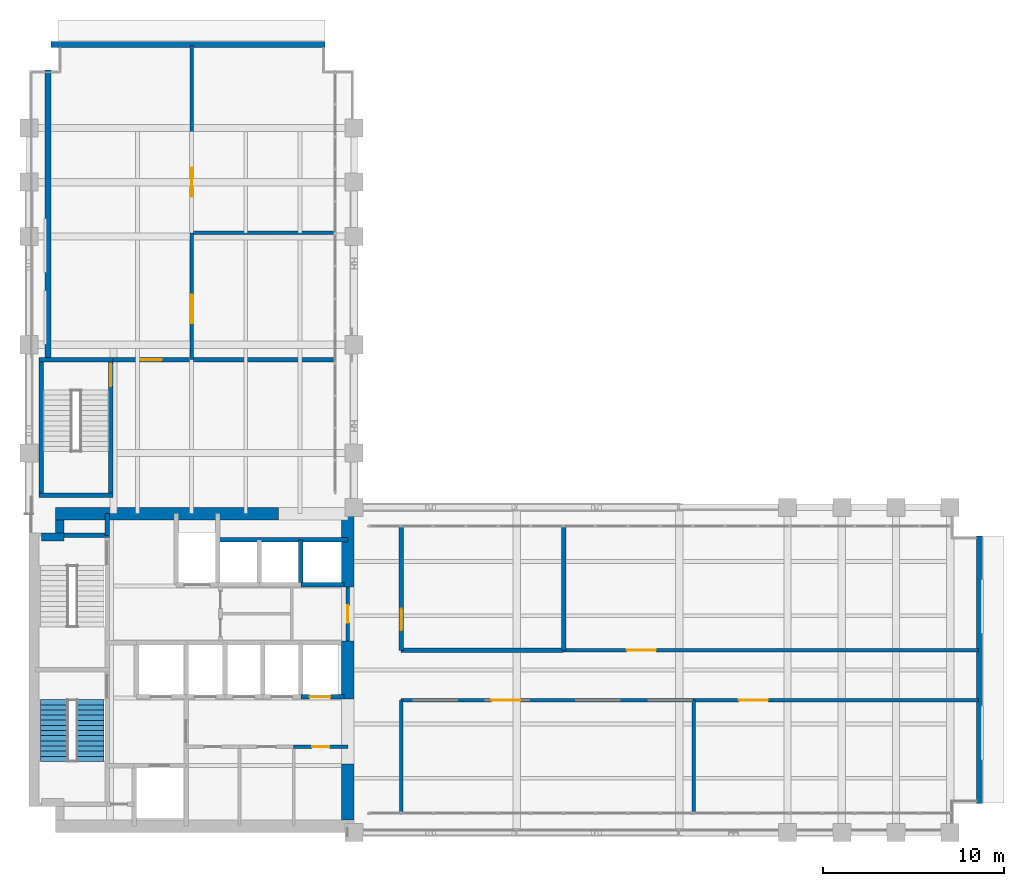
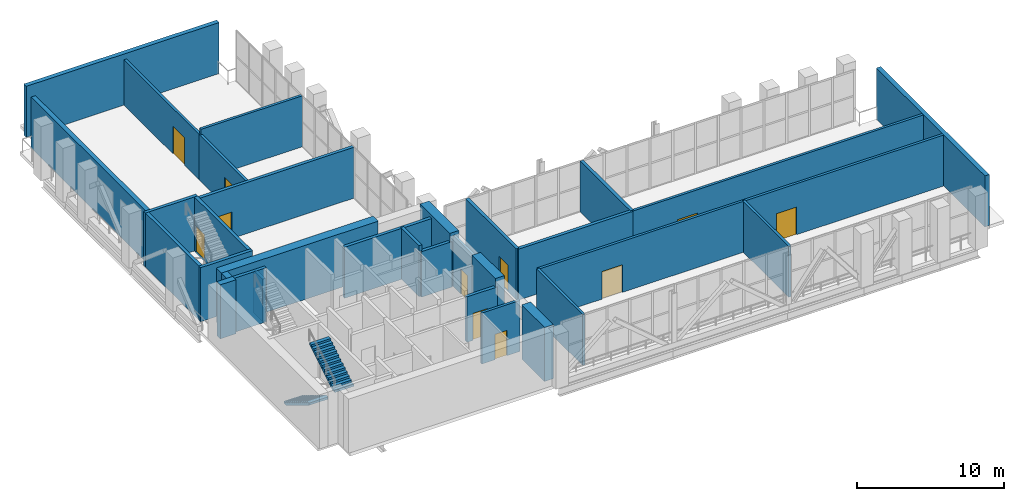
# One storey, part 24 of 27: 33 walls, 11 doors, 2 stair flights, 11 openings, 1 element without a shape of its own.
"""IFC4 building model written with IfcOpenShell, lengths in metres."""

from ifc_helpers import new_model, si_unit, direction, frame, frame_2d, origin, place, context, subcontext, project, spatial, polyline, rectangle, outline, extrude, material, layer, layer_set, type_object, element, fill, aggregate, save


model = new_model("IFC4")

# Units and contexts
model_context = context("Model", 3, precision=1e-05, world=origin(), true_north=direction((0.0, 1.0)))
body_context = subcontext(model_context, "Body", "Model", "MODEL_VIEW")
ifc_project = project(units=[si_unit("LENGTHUNIT", "METRE"), si_unit("AREAUNIT", "SQUARE_METRE"), si_unit("VOLUMEUNIT", "CUBIC_METRE"), si_unit("PLANEANGLEUNIT", "RADIAN"), si_unit("MASSUNIT", "GRAM", prefix="KILO")], contexts=[model_context])

# Site, building, storey
site_placement = place(None, origin())
site = spatial("IfcSite", under=ifc_project, at=site_placement, CompositionType="ELEMENT")
building_placement = place(site_placement, origin())
building = spatial("IfcBuilding", under=site, at=building_placement, Name="Mawjdan Bourse Tower", CompositionType="ELEMENT")
storey_placement = place(building_placement, frame((0.0, 0.0, 155.699951171875)))
storey = spatial("IfcBuildingStorey", under=building, at=storey_placement, Name="L37", CompositionType="ELEMENT", Elevation=155.699951171875)

# Walls
ifc_material_1 = material(Name="Brick Masonry Terracotta Red", Category="masonry")
ifc_layer_1 = layer(ifc_material_1, 0.340087890625)
ifc_layer_set_1 = layer_set([ifc_layer_1], Name="Brick Masonry Terracotta Red")
wall_type_1 = type_object("IfcWallType", Name="WL-BRK-RED-340", PredefinedType="STANDARD", material=ifc_layer_set_1)
wall_1_placement = place(storey_placement, frame((58.6298828125, 4.60009765625, 0.0), z_axis=(0.0, 0.0, 1.0), x_axis=(0.0, 1.0, 0.0)))
element("IfcWall", 1, at=wall_1_placement, inside=storey, type_object=wall_type_1, Name="L37 Refuge Perimeter Wall ETIP", PredefinedType="STANDARD", context=body_context, shape_type="SweptSolid", body=[
    extrude(rectangle(XDim=14.7998046875, YDim=0.340087890625, at=frame_2d((7.39990234375, 0.0))), origin(), (0.0, 0.0, 1.0), 4.25),
])
wall_2_placement = place(storey_placement, frame((7.050048828125, 45.199951171875, 0.0), z_axis=(0.0, 0.0, 1.0), x_axis=(0.0, -1.0, 0.0)))
element("IfcWall", 2, at=wall_2_placement, inside=storey, type_object=wall_type_1, Name="L37 Refuge Perimeter Wall NWW", PredefinedType="STANDARD", context=body_context, shape_type="SweptSolid", body=[
    extrude(rectangle(XDim=15.89990234375, YDim=0.340087890625, at=frame_2d((7.949951171875, 0.0))), origin(), (0.0, 0.0, 1.0), 4.25),
])
wall_3_placement = place(storey_placement, frame((22.39990234375, 46.6298828125, 0.0), z_axis=(0.0, 0.0, 1.0), x_axis=(-1.0, 0.0, 0.0)))
element("IfcWall", 3, at=wall_3_placement, inside=storey, type_object=wall_type_1, Name="L37 Refuge Perimeter Wall NTIP", PredefinedType="STANDARD", context=body_context, shape_type="SweptSolid", body=[
    extrude(rectangle(XDim=15.179931640625, YDim=0.340087890625, at=frame_2d((7.58984375, 0.0))), origin(), (0.0, 0.0, 1.0), 4.25),
])

# Wall, opening, door
ifc_material_2 = material(Name="Gypsum Fireboard Assembly")
ifc_layer_2 = layer(ifc_material_2, 0.199951171875)
ifc_layer_set_2 = layer_set([ifc_layer_2], Name="Gypsum Fireboard Assembly")
wall_type_2 = type_object("IfcWallType", Name="WL-CMP-200", PredefinedType="PARTITIONING", material=ifc_layer_set_2)
wall_4_placement = place(storey_placement, frame((20.64990234375, 7.739990234375, 0.0), z_axis=(0.0, 0.0, 1.0), x_axis=(1.0, 0.0, 0.0)))
wall_4 = element("IfcWall", 4, at=wall_4_placement, inside=storey, type_object=wall_type_2, Name="L37 Staff Refreshment Pantry North Wall", PredefinedType="PARTITIONING", context=body_context, shape_type="SweptSolid", body=[
    extrude(rectangle(XDim=3.0, YDim=0.199951171875, at=frame_2d((1.5, 0.0))), origin(), (0.0, 0.0, 1.0), 4.239990234375),
])
opening_1_placement = place(wall_4_placement, frame((1.02490234375, 0.0, 0.0)))
opening_1 = element("IfcOpeningElement", 5, at=opening_1_placement, cuts=wall_4, Name="Opening D-L37-12", PredefinedType="OPENING", context=body_context, shape_type="SweptSolid", body=[
    extrude(rectangle(XDim=0.949951171875, YDim=2.10009765625, at=frame_2d((0.47509765625, 1.050048828125))), frame((0.0, 0.10986328125, 0.0), z_axis=(0.0, -1.0, 0.0), x_axis=(1.0, 0.0, 0.0)), (0.0, 0.0, 1.0), 0.219970703125),
])
ifc_material_3 = material(Name="Moisture-Resistant Laminate Timber", Category="wood")
door_type_1 = type_object("IfcDoorType", Name="DR-WET-0950", OperationType="NOTDEFINED", PredefinedType="DOOR", material=ifc_material_3)
door_1_placement = place(opening_1_placement, origin())
door_1 = element("IfcDoor", 6, at=door_1_placement, inside=storey, type_object=door_type_1, Name="L37 Staff Refreshment Pantry Door D-L37-12", OperationType="SINGLE_SWING_RIGHT", OverallHeight=2.10009765625, OverallWidth=0.949951171875, PredefinedType="DOOR", context=body_context, shape_type="SweptSolid", body=[
    extrude(rectangle(XDim=0.949951171875, YDim=2.10009765625, at=frame_2d((0.47509765625, 1.050048828125))), frame((0.0, 0.02490234375, 0.0), z_axis=(0.0, -1.0, 0.0), x_axis=(1.0, 0.0, 0.0)), (0.0, 0.0, 1.0), 0.050048828125),
])
fill(opening_1, door_1)

wall_5_placement = place(storey_placement, frame((23.64990234375, 13.60009765625, 0.0), z_axis=(0.0, 0.0, 1.0), x_axis=(0.0, 1.0, 0.0)))
wall_5 = element("IfcWall", 7, at=wall_5_placement, inside=storey, type_object=wall_type_2, Name="L37 Core Restroom East Enclosing Wall", PredefinedType="PARTITIONING", context=body_context, shape_type="SweptSolid", body=[
    extrude(rectangle(XDim=3.0, YDim=0.199951171875, at=frame_2d((1.5, 0.0))), origin(), (0.0, 0.0, 1.0), 4.239990234375),
])
opening_2_placement = place(wall_5_placement, frame((1.02001953125, 0.0, 0.0)))
opening_2 = element("IfcOpeningElement", 8, at=opening_2_placement, cuts=wall_5, Name="Opening D-L37-19", PredefinedType="OPENING", context=body_context, shape_type="SweptSolid", body=[
    extrude(rectangle(XDim=0.949951171875, YDim=2.10009765625, at=frame_2d((0.47509765625, 1.050048828125))), frame((0.0, 0.10986328125, 0.0), z_axis=(0.0, -1.0, 0.0), x_axis=(1.0, 0.0, 0.0)), (0.0, 0.0, 1.0), 0.219970703125),
])
door_2_placement = place(opening_2_placement, origin())
door_2 = element("IfcDoor", 9, at=door_2_placement, inside=storey, type_object=door_type_1, Name="L37 Female Restroom East Entry Door D-L37-19", OperationType="SINGLE_SWING_LEFT", OverallHeight=2.10009765625, OverallWidth=0.949951171875, PredefinedType="DOOR", context=body_context, shape_type="SweptSolid", body=[
    extrude(rectangle(XDim=0.949951171875, YDim=2.10009765625, at=frame_2d((0.47509765625, 1.050048828125))), frame((0.0, 0.02490234375, 0.0), z_axis=(0.0, -1.0, 0.0), x_axis=(1.0, 0.0, 0.0)), (0.0, 0.0, 1.0), 0.050048828125),
])
fill(opening_2, door_2)

# Wall
wall_6_placement = place(storey_placement, frame((15.0, 36.199951171875, 0.0), z_axis=(0.0, 0.0, 1.0), x_axis=(1.0, 0.0, 0.0)))
element("IfcWall", 10, at=wall_6_placement, inside=storey, type_object=wall_type_2, Name="L37 North Plant Split Wall", PredefinedType="PARTITIONING", context=body_context, shape_type="SweptSolid", body=[
    extrude(rectangle(XDim=7.949951171875, YDim=0.199951171875, at=frame_2d((3.97509765625, 0.0))), origin(), (0.0, 0.0, 1.0), 4.239990234375),
])

# Wall, opening, door
wall_7_placement = place(storey_placement, frame((15.0, 29.179931640625, 0.0), z_axis=(0.0, 0.0, 1.0), x_axis=(0.0, 1.0, 0.0)))
wall_7 = element("IfcWall", 11, at=wall_7_placement, inside=storey, type_object=wall_type_2, Name="L37 North Plant Wall 1", PredefinedType="PARTITIONING", context=body_context, shape_type="SweptSolid", body=[
    extrude(rectangle(XDim=7.02001953125, YDim=0.199951171875, at=frame_2d((3.510009765625, 0.0))), origin(), (0.0, 0.0, 1.0), 3.777099609375),
])
opening_3_placement = place(wall_7_placement, frame((2.0, 0.0, 0.0)))
opening_3 = element("IfcOpeningElement", 12, at=opening_3_placement, cuts=wall_7, Name="Opening PD-L37-22", PredefinedType="OPENING", context=body_context, shape_type="SweptSolid", body=[
    extrude(rectangle(XDim=1.60009765625, YDim=2.300048828125, at=frame_2d((0.800048828125, 1.14990234375))), frame((0.0, 0.10986328125, 0.0), z_axis=(0.0, -1.0, 0.0), x_axis=(1.0, 0.0, 0.0)), (0.0, 0.0, 1.0), 0.219970703125),
])
ifc_material_4 = material(Name="Fire-Rated Acoustic Steel", Category="steel")
door_type_2 = type_object("IfcDoorType", Name="FD-PLT-1600", OperationType="DOUBLE_DOOR_SINGLE_SWING", PredefinedType="DOOR", material=ifc_material_4)
door_3_placement = place(opening_3_placement, origin())
door_3 = element("IfcDoor", 13, at=door_3_placement, inside=storey, type_object=door_type_2, Name="L37 Fire Pump Room Door PD-L37-22", OperationType="DOUBLE_DOOR_SINGLE_SWING", OverallHeight=2.300048828125, OverallWidth=1.60009765625, PredefinedType="DOOR", context=body_context, shape_type="SweptSolid", body=[
    extrude(rectangle(XDim=1.60009765625, YDim=2.300048828125, at=frame_2d((0.800048828125, 1.14990234375))), frame((0.0, 0.02490234375, 0.0), z_axis=(0.0, -1.0, 0.0), x_axis=(1.0, 0.0, 0.0)), (0.0, 0.0, 1.0), 0.050048828125),
])
fill(opening_3, door_3)

wall_8_placement = place(storey_placement, frame((15.0, 36.199951171875, 0.0), z_axis=(0.0, 0.0, 1.0), x_axis=(0.0, 1.0, 0.0)))
wall_8 = element("IfcWall", 14, at=wall_8_placement, inside=storey, type_object=wall_type_2, Name="L37 North Plant Wall 2", PredefinedType="PARTITIONING", context=body_context, shape_type="SweptSolid", body=[
    extrude(rectangle(XDim=10.380126953125, YDim=0.199951171875, at=frame_2d((5.18994140625, 0.0))), origin(), (0.0, 0.0, 1.0), 3.777099609375),
])
opening_4_placement = place(wall_8_placement, frame((2.0, 0.0, 0.0)))
opening_4 = element("IfcOpeningElement", 15, at=opening_4_placement, cuts=wall_8, Name="Opening PD-L37-23", PredefinedType="OPENING", context=body_context, shape_type="SweptSolid", body=[
    extrude(rectangle(XDim=1.60009765625, YDim=2.300048828125, at=frame_2d((0.800048828125, 1.14990234375))), frame((0.0, 0.10986328125, 0.0), z_axis=(0.0, -1.0, 0.0), x_axis=(1.0, 0.0, 0.0)), (0.0, 0.0, 1.0), 0.219970703125),
])
door_4_placement = place(opening_4_placement, origin())
door_4 = element("IfcDoor", 16, at=door_4_placement, inside=storey, type_object=door_type_2, Name="L37 Smoke Fan Room Door PD-L37-23", OperationType="DOUBLE_DOOR_SINGLE_SWING", OverallHeight=2.300048828125, OverallWidth=1.60009765625, PredefinedType="DOOR", context=body_context, shape_type="SweptSolid", body=[
    extrude(rectangle(XDim=1.60009765625, YDim=2.300048828125, at=frame_2d((0.800048828125, 1.14990234375))), frame((0.0, 0.02490234375, 0.0), z_axis=(0.0, -1.0, 0.0), x_axis=(1.0, 0.0, 0.0)), (0.0, 0.0, 1.0), 0.050048828125),
])
fill(opening_4, door_4)

# Walls
for number, where, z_axis, x_axis, name in (
    (17, (26.60009765625, 4.050048828125, 0.0), (0.0, 0.0, 1.0), (0.0, 1.0, 0.0), "L37 AHU West Vestibule Wall"),
    (18, (42.800048828125, 4.050048828125, 0.0), (0.0, 0.0, 1.0), (0.0, 1.0, 0.0), "L37 South Plant Split Wall"),
):
    element("IfcWall", number, at=place(storey_placement, frame(where, z_axis=z_axis, x_axis=x_axis)), inside=storey, type_object=wall_type_2, Name=name, PredefinedType="PARTITIONING", context=body_context, shape_type="SweptSolid", body=[
        extrude(rectangle(XDim=6.27001953125, YDim=0.199951171875, at=frame_2d((3.135009765625, 0.0))), origin(), (0.0, 0.0, 1.0), 4.239990234375),
    ])

# Wall, opening, door
wall_9_placement = place(storey_placement, frame((26.60009765625, 10.320068359375, 0.0), z_axis=(0.0, 0.0, 1.0), x_axis=(1.0, 0.0, 0.0)))
wall_9 = element("IfcWall", 19, at=wall_9_placement, inside=storey, type_object=wall_type_2, Name="L37 AHU Plant North Wall", PredefinedType="PARTITIONING", context=body_context, shape_type="SweptSolid", body=[
    extrude(rectangle(XDim=16.199951171875, YDim=0.199951171875, at=frame_2d((8.10009765625, 0.0))), origin(), (0.0, 0.0, 1.0), 4.239990234375),
])
opening_5_placement = place(wall_9_placement, frame((5.0, 0.0, 0.0)))
opening_5 = element("IfcOpeningElement", 20, at=opening_5_placement, cuts=wall_9, Name="Opening PD-L37-24", PredefinedType="OPENING", context=body_context, shape_type="SweptSolid", body=[
    extrude(rectangle(XDim=1.60009765625, YDim=2.300048828125, at=frame_2d((0.800048828125, 1.14990234375))), frame((0.0, 0.10986328125, 0.0), z_axis=(0.0, -1.0, 0.0), x_axis=(1.0, 0.0, 0.0)), (0.0, 0.0, 1.0), 0.219970703125),
])
door_5_placement = place(opening_5_placement, origin())
door_5 = element("IfcDoor", 21, at=door_5_placement, inside=storey, type_object=door_type_2, Name="L37 AHU Plant Door PD-L37-24", OperationType="DOUBLE_DOOR_SINGLE_SWING", OverallHeight=2.300048828125, OverallWidth=1.60009765625, PredefinedType="DOOR", context=body_context, shape_type="SweptSolid", body=[
    extrude(rectangle(XDim=1.60009765625, YDim=2.300048828125, at=frame_2d((0.800048828125, 1.14990234375))), frame((0.0, 0.02490234375, 0.0), z_axis=(0.0, -1.0, 0.0), x_axis=(1.0, 0.0, 0.0)), (0.0, 0.0, 1.0), 0.050048828125),
])
fill(opening_5, door_5)

wall_10_placement = place(storey_placement, frame((42.800048828125, 10.320068359375, 0.0), z_axis=(0.0, 0.0, 1.0), x_axis=(1.0, 0.0, 0.0)))
wall_10 = element("IfcWall", 22, at=wall_10_placement, inside=storey, type_object=wall_type_2, Name="L37 CHW Plant North Wall", PredefinedType="PARTITIONING", context=body_context, shape_type="SweptSolid", body=[
    extrude(rectangle(XDim=15.780029296875, YDim=0.199951171875, at=frame_2d((7.89013671875, 0.0))), origin(), (0.0, 0.0, 1.0), 4.239990234375),
])
opening_6_placement = place(wall_10_placement, frame((2.5, 0.0, 0.0)))
opening_6 = element("IfcOpeningElement", 23, at=opening_6_placement, cuts=wall_10, Name="Opening PD-L37-25", PredefinedType="OPENING", context=body_context, shape_type="SweptSolid", body=[
    extrude(rectangle(XDim=1.60009765625, YDim=2.300048828125, at=frame_2d((0.800048828125, 1.14990234375))), frame((0.0, 0.10986328125, 0.0), z_axis=(0.0, -1.0, 0.0), x_axis=(1.0, 0.0, 0.0)), (0.0, 0.0, 1.0), 0.219970703125),
])
door_6_placement = place(opening_6_placement, origin())
door_6 = element("IfcDoor", 24, at=door_6_placement, inside=storey, type_object=door_type_2, Name="L37 CHW Pump Room Door PD-L37-25", OperationType="DOUBLE_DOOR_SINGLE_SWING", OverallHeight=2.300048828125, OverallWidth=1.60009765625, PredefinedType="DOOR", context=body_context, shape_type="SweptSolid", body=[
    extrude(rectangle(XDim=1.60009765625, YDim=2.300048828125, at=frame_2d((0.800048828125, 1.14990234375))), frame((0.0, 0.02490234375, 0.0), z_axis=(0.0, -1.0, 0.0), x_axis=(1.0, 0.0, 0.0)), (0.0, 0.0, 1.0), 0.050048828125),
])
fill(opening_6, door_6)

wall_11_placement = place(storey_placement, frame((35.60009765625, 13.080078125, 0.0), z_axis=(0.0, 0.0, 1.0), x_axis=(1.0, 0.0, 0.0)))
wall_11 = element("IfcWall", 25, at=wall_11_placement, inside=storey, type_object=wall_type_2, Name="L37 Switchgear South Wall", PredefinedType="PARTITIONING", context=body_context, shape_type="SweptSolid", body=[
    extrude(rectangle(XDim=22.97998046875, YDim=0.199951171875, at=frame_2d((11.489990234375, 0.0))), origin(), (0.0, 0.0, 1.0), 4.239990234375),
])
opening_7_placement = place(wall_11_placement, frame((3.5, 0.0, 0.0)))
opening_7 = element("IfcOpeningElement", 26, at=opening_7_placement, cuts=wall_11, Name="Opening PD-L37-27", PredefinedType="OPENING", context=body_context, shape_type="SweptSolid", body=[
    extrude(rectangle(XDim=1.60009765625, YDim=2.300048828125, at=frame_2d((0.800048828125, 1.14990234375))), frame((0.0, 0.10986328125, 0.0), z_axis=(0.0, -1.0, 0.0), x_axis=(1.0, 0.0, 0.0)), (0.0, 0.0, 1.0), 0.219970703125),
])
door_7_placement = place(opening_7_placement, origin())
door_7 = element("IfcDoor", 27, at=door_7_placement, inside=storey, type_object=door_type_2, Name="L37 Switchgear Room Door PD-L37-27", OperationType="DOUBLE_DOOR_SINGLE_SWING", OverallHeight=2.300048828125, OverallWidth=1.60009765625, PredefinedType="DOOR", context=body_context, shape_type="SweptSolid", body=[
    extrude(rectangle(XDim=1.60009765625, YDim=2.300048828125, at=frame_2d((0.800048828125, 1.14990234375))), frame((0.0, 0.02490234375, 0.0), z_axis=(0.0, -1.0, 0.0), x_axis=(1.0, 0.0, 0.0)), (0.0, 0.0, 1.0), 0.050048828125),
])
fill(opening_7, door_7)

# Walls
ifc_material_5 = material(Name="Concrete C60/75", Category="concrete")
ifc_layer_3 = layer(ifc_material_5, 0.449951171875)
ifc_layer_set_3 = layer_set([ifc_layer_3], Name="Concrete C60/75")
wall_type_3 = type_object("IfcWallType", Name="WL-CORE-450", PredefinedType="SHEAR", material=ifc_layer_set_3)
wall_12_placement = place(storey_placement, frame((6.699951171875, 19.35009765625, 0.0), z_axis=(0.0, 0.0, 1.0), x_axis=(1.0, 0.0, 0.0)))
element("IfcWall", 28, at=wall_12_placement, inside=storey, type_object=wall_type_3, Name="L37 Rear Core Shear Wall NW-X", PredefinedType="SHEAR", context=body_context, shape_type="SweptSolid", body=[
    extrude(rectangle(XDim=1.22509765625, YDim=0.449951171875, at=frame_2d((0.612548828125, 0.0))), origin(), (0.0, 0.0, 1.0), 4.5),
])
wall_13_placement = place(storey_placement, frame((7.699951171875, 19.574951171875, 0.0), z_axis=(0.0, 0.0, 1.0), x_axis=(0.0, 1.0, 0.0)))
element("IfcWall", 29, at=wall_13_placement, inside=storey, type_object=wall_type_3, Name="L37 Rear Core Shear Wall NW-Y", PredefinedType="SHEAR", context=body_context, shape_type="SweptSolid", body=[
    extrude(rectangle(XDim=0.72509765625, YDim=0.449951171875, at=frame_2d((0.362548828125, 0.0))), origin(), (0.0, 0.0, 1.0), 4.5),
])
ifc_material_6 = material(Name="Concrete C70/85", Category="concrete")
ifc_layer_4 = layer(ifc_material_6, 0.699951171875)
ifc_layer_set_4 = layer_set([ifc_layer_4], Name="Concrete C70/85")
wall_type_4 = type_object("IfcWallType", Name="WL-CORE-700", PredefinedType="SHEAR", material=ifc_layer_set_4)
wall_14_placement = place(storey_placement, frame((7.47509765625, 20.64990234375, 0.0), z_axis=(0.0, 0.0, 1.0), x_axis=(1.0, 0.0, 0.0)))
element("IfcWall", 30, at=wall_14_placement, inside=storey, type_object=wall_type_4, Name="L37 Rear Core Shear Wall N", PredefinedType="SHEAR", context=body_context, shape_type="SweptSolid", body=[
    extrude(rectangle(XDim=12.324951171875, YDim=0.699951171875, at=frame_2d((6.16259765625, 0.0))), origin(), (0.0, 0.0, 1.0), 4.5),
])
wall_15_placement = place(storey_placement, frame((23.64990234375, 3.699951171875, 0.0), z_axis=(0.0, 0.0, 1.0), x_axis=(0.0, 1.0, 0.0)))
element("IfcWall", 31, at=wall_15_placement, inside=storey, type_object=wall_type_4, Name="L37 Rear Core Shear Wall E1", PredefinedType="SHEAR", context=body_context, shape_type="SweptSolid", body=[
    extrude(rectangle(XDim=3.10009765625, YDim=0.699951171875, at=frame_2d((1.550048828125, 0.0))), origin(), (0.0, 0.0, 1.0), 4.5),
])
wall_16_placement = place(storey_placement, frame((23.64990234375, 10.39990234375, 0.0), z_axis=(0.0, 0.0, 1.0), x_axis=(0.0, 1.0, 0.0)))
element("IfcWall", 32, at=wall_16_placement, inside=storey, type_object=wall_type_4, Name="L37 Rear Core Shear Wall E2", PredefinedType="SHEAR", context=body_context, shape_type="SweptSolid", body=[
    extrude(rectangle(XDim=3.2001953125, YDim=0.699951171875, at=frame_2d((1.60009765625, 0.0))), origin(), (0.0, 0.0, 1.0), 4.5),
])
wall_17_placement = place(storey_placement, frame((23.64990234375, 16.60009765625, 0.0), z_axis=(0.0, 0.0, 1.0), x_axis=(0.0, 1.0, 0.0)))
element("IfcWall", 33, at=wall_17_placement, inside=storey, type_object=wall_type_4, Name="L37 Rear Core Shear Wall E3", PredefinedType="SHEAR", context=body_context, shape_type="SweptSolid", body=[
    extrude(rectangle(XDim=4.0498046875, YDim=0.699951171875, at=frame_2d((2.02490234375, 0.0))), origin(), (0.0, 0.0, 1.0), 4.5),
])
ifc_material_7 = material(Name="Concrete C50/60", Category="concrete")
ifc_layer_5 = layer(ifc_material_7, 0.25)
ifc_layer_set_5 = layer_set([ifc_layer_5], Name="Concrete C50/60")
wall_type_5 = type_object("IfcWallType", Name="WL-SHFT-250", PredefinedType="PARTITIONING", material=ifc_layer_set_5)
wall_18_placement = place(storey_placement, frame((10.330078125, 19.449951171875, 0.0), z_axis=(0.0, 0.0, 1.0), x_axis=(0.0, 1.0, 0.0)))
element("IfcWall", 34, at=wall_18_placement, inside=storey, type_object=wall_type_5, Name="L37 NW Riser East Wall", PredefinedType="PARTITIONING", context=body_context, shape_type="SweptSolid", body=[
    extrude(rectangle(XDim=1.199951171875, YDim=0.25, at=frame_2d((0.60009765625, 0.0))), origin(), (0.0, 0.0, 1.0), 3.5439453125),
])
wall_19_placement = place(storey_placement, frame((21.050048828125, 16.699951171875, 0.0), z_axis=(0.0, 0.0, 1.0), x_axis=(0.0, 1.0, 0.0)))
element("IfcWall", 35, at=wall_19_placement, inside=storey, type_object=wall_type_5, Name="L37 PH-02 Divider Wall", PredefinedType="PARTITIONING", context=body_context, shape_type="SweptSolid", body=[
    extrude(rectangle(XDim=2.5, YDim=0.25, at=frame_2d((1.25, 0.0))), origin(), (0.0, 0.0, 1.0), 4.239990234375),
])
wall_20_placement = place(storey_placement, frame((21.050048828125, 16.699951171875, 0.0), z_axis=(0.0, 0.0, 1.0), x_axis=(1.0, 0.0, 0.0)))
element("IfcWall", 36, at=wall_20_placement, inside=storey, type_object=wall_type_5, Name="L37 PH-03 Front Wall", PredefinedType="PARTITIONING", context=body_context, shape_type="SweptSolid", body=[
    extrude(rectangle(XDim=2.39990234375, YDim=0.25, at=frame_2d((1.199951171875, 0.0))), origin(), (0.0, 0.0, 1.0), 3.777099609375),
])
wall_21_placement = place(storey_placement, frame((16.449951171875, 19.199951171875, 0.0), z_axis=(0.0, 0.0, 1.0), x_axis=(1.0, 0.0, 0.0)))
element("IfcWall", 37, at=wall_21_placement, inside=storey, type_object=wall_type_5, Name="L37 PH Bank North Shaft Back Wall", PredefinedType="PARTITIONING", context=body_context, shape_type="SweptSolid", body=[
    extrude(rectangle(XDim=7.199951171875, YDim=0.25, at=frame_2d((3.60009765625, 0.0))), origin(), (0.0, 0.0, 1.0), 4.239990234375),
])

# Wall, opening, door
wall_22_placement = place(storey_placement, frame((21.050048828125, 10.5, 0.0), z_axis=(0.0, 0.0, 1.0), x_axis=(1.0, 0.0, 0.0)))
wall_22 = element("IfcWall", 38, at=wall_22_placement, inside=storey, type_object=wall_type_5, Name="L37 PM-04 Front Wall", PredefinedType="PARTITIONING", context=body_context, shape_type="SweptSolid", body=[
    extrude(rectangle(XDim=2.39990234375, YDim=0.25, at=frame_2d((1.199951171875, 0.0))), origin(), (0.0, 0.0, 1.0), 3.777099609375),
])
opening_8_placement = place(wall_22_placement, frame((0.47998046875, 0.0, 0.0)))
opening_8 = element("IfcOpeningElement", 39, at=opening_8_placement, cuts=wall_22, Name="Opening LD-L37-16", PredefinedType="OPENING", context=body_context, shape_type="SweptSolid", body=[
    extrude(rectangle(XDim=1.14990234375, YDim=2.25, at=frame_2d((0.574951171875, 1.125))), frame((0.0, 0.135009765625, 0.0), z_axis=(0.0, -1.0, 0.0), x_axis=(1.0, 0.0, 0.0)), (0.0, 0.0, 1.0), 0.27001953125),
])
ifc_material_8 = material(Name="Brushed Stainless Steel", Category="steel")
door_type_3 = type_object("IfcDoorType", Name="LD-PAS-1150", OperationType="DOUBLE_DOOR_SLIDING", PredefinedType="DOOR", material=ifc_material_8)
door_8_placement = place(opening_8_placement, origin())
door_8 = element("IfcDoor", 40, at=door_8_placement, inside=storey, type_object=door_type_3, Name="L37 Lift PM-04 Landing Door LD-L37-16", OperationType="DOUBLE_DOOR_SLIDING", OverallHeight=2.25, OverallWidth=1.14990234375, PredefinedType="DOOR", context=body_context, shape_type="SweptSolid", body=[
    extrude(rectangle(XDim=1.14990234375, YDim=2.25, at=frame_2d((0.574951171875, 1.125))), frame((0.0, 0.02490234375, 0.0), z_axis=(0.0, -1.0, 0.0), x_axis=(1.0, 0.0, 0.0)), (0.0, 0.0, 1.0), 0.050048828125),
])
fill(opening_8, door_8)

wall_23_placement = place(storey_placement, frame((10.550048828125, 29.179931640625, 0.0), z_axis=(0.0, 0.0, 1.0), x_axis=(1.0, 0.0, 0.0)))
wall_23 = element("IfcWall", 41, at=wall_23_placement, inside=storey, type_object=wall_type_5, Name="L37 Refuge Area North EI 120 Firewall", PredefinedType="PARTITIONING", context=body_context, shape_type="SweptSolid", body=[
    extrude(rectangle(XDim=12.39990234375, YDim=0.25, at=frame_2d((6.199951171875, 0.0))), origin(), (0.0, 0.0, 1.0), 4.239990234375),
])
opening_9_placement = place(wall_23_placement, frame((1.60009765625, 0.0, 0.0)))
opening_9 = element("IfcOpeningElement", 42, at=opening_9_placement, cuts=wall_23, Name="Opening FD-L37-21", PredefinedType="OPENING", context=body_context, shape_type="SweptSolid", body=[
    extrude(rectangle(XDim=1.199951171875, YDim=2.199951171875, at=frame_2d((0.60009765625, 1.10009765625))), frame((0.0, 0.135009765625, 0.0), z_axis=(0.0, -1.0, 0.0), x_axis=(1.0, 0.0, 0.0)), (0.0, 0.0, 1.0), 0.27001953125),
])
ifc_material_9 = material(Name="Fire-Rated Steel Leaf", Category="steel")
door_type_4 = type_object("IfcDoorType", Name="FD-FFL-1200", OperationType="NOTDEFINED", PredefinedType="DOOR", material=ifc_material_9)
door_9_placement = place(opening_9_placement, frame((1.199951171875, 0.0, 0.0), z_axis=(0.0, 0.0, 1.0), x_axis=(-1.0, 0.0, 0.0)))
door_9 = element("IfcDoor", 43, at=door_9_placement, inside=storey, type_object=door_type_4, Name="L37 North Plant Corridor Fire Door FD-L37-21", OperationType="SINGLE_SWING_LEFT", OverallHeight=2.199951171875, OverallWidth=1.199951171875, PredefinedType="DOOR", context=body_context, shape_type="SweptSolid", body=[
    extrude(rectangle(XDim=1.199951171875, YDim=2.199951171875, at=frame_2d((0.60009765625, 1.10009765625))), frame((0.0, 0.02490234375, 0.0), z_axis=(0.0, -1.0, 0.0), x_axis=(1.0, 0.0, 0.0)), (0.0, 0.0, 1.0), 0.050048828125),
])
fill(opening_9, door_9)

wall_24_placement = place(storey_placement, frame((26.60009765625, 13.080078125, 0.0), z_axis=(0.0, 0.0, 1.0), x_axis=(0.0, 1.0, 0.0)))
wall_24 = element("IfcWall", 44, at=wall_24_placement, inside=storey, type_object=wall_type_5, Name="L37 East Refuge West Lobby Wall", PredefinedType="PARTITIONING", context=body_context, shape_type="SweptSolid", body=[
    extrude(rectangle(XDim=6.869873046875, YDim=0.25, at=frame_2d((3.43505859375, 0.0))), origin(), (0.0, 0.0, 1.0), 4.239990234375),
])
opening_10_placement = place(wall_24_placement, frame((1.10009765625, 0.0, 0.0)))
opening_10 = element("IfcOpeningElement", 45, at=opening_10_placement, cuts=wall_24, Name="Opening FD-L37-26", PredefinedType="OPENING", context=body_context, shape_type="SweptSolid", body=[
    extrude(rectangle(XDim=1.199951171875, YDim=2.199951171875, at=frame_2d((0.60009765625, 1.10009765625))), frame((0.0, 0.135009765625, 0.0), z_axis=(0.0, -1.0, 0.0), x_axis=(1.0, 0.0, 0.0)), (0.0, 0.0, 1.0), 0.27001953125),
])
door_10_placement = place(opening_10_placement, origin())
door_10 = element("IfcDoor", 46, at=door_10_placement, inside=storey, type_object=door_type_4, Name="L37 East Refuge Lobby Door FD-L37-26", OperationType="SINGLE_SWING_RIGHT", OverallHeight=2.199951171875, OverallWidth=1.199951171875, PredefinedType="DOOR", context=body_context, shape_type="SweptSolid", body=[
    extrude(rectangle(XDim=1.199951171875, YDim=2.199951171875, at=frame_2d((0.60009765625, 1.10009765625))), frame((0.0, 0.02490234375, 0.0), z_axis=(0.0, -1.0, 0.0), x_axis=(1.0, 0.0, 0.0)), (0.0, 0.0, 1.0), 0.050048828125),
])
fill(opening_10, door_10)

# Walls
wall_25_placement = place(storey_placement, frame((26.60009765625, 13.080078125, 0.0), z_axis=(0.0, 0.0, 1.0), x_axis=(1.0, 0.0, 0.0)))
element("IfcWall", 47, at=wall_25_placement, inside=storey, type_object=wall_type_5, Name="L37 East Refuge South Firewall", PredefinedType="PARTITIONING", context=body_context, shape_type="SweptSolid", body=[
    extrude(rectangle(XDim=9.0, YDim=0.25, at=frame_2d((4.5, 0.0))), origin(), (0.0, 0.0, 1.0), 4.239990234375),
])
wall_26_placement = place(storey_placement, frame((35.60009765625, 13.080078125, 0.0), z_axis=(0.0, 0.0, 1.0), x_axis=(0.0, 1.0, 0.0)))
element("IfcWall", 48, at=wall_26_placement, inside=storey, type_object=wall_type_5, Name="L37 Switchgear West Firewall", PredefinedType="PARTITIONING", context=body_context, shape_type="SweptSolid", body=[
    extrude(rectangle(XDim=6.869873046875, YDim=0.25, at=frame_2d((3.43505859375, 0.0))), origin(), (0.0, 0.0, 1.0), 4.239990234375),
])
ifc_layer_6 = layer(ifc_material_7, 0.25)
ifc_layer_set_6 = layer_set([ifc_layer_6], Name="Concrete C50/60")
wall_type_6 = type_object("IfcWallType", Name="WL-STRW-250", PredefinedType="SHEAR", material=ifc_layer_set_6)
wall_27_placement = place(storey_placement, frame((7.699951171875, 19.449951171875, 0.0), z_axis=(0.0, 0.0, 1.0), x_axis=(1.0, 0.0, 0.0)))
element("IfcWall", 49, at=wall_27_placement, inside=storey, type_object=wall_type_6, Name="L37 Stairwell ST2 North Shaft Wall", PredefinedType="SHEAR", context=body_context, shape_type="SweptSolid", body=[
    extrude(rectangle(XDim=2.755126953125, YDim=0.25, at=frame_2d((1.37744140625, 0.0))), origin(), (0.0, 0.0, 1.0), 4.5),
])
for number, where, z_axis, x_axis, name in (
    (50, (6.554931640625, 21.679931640625, 0.0), (0.0, 0.0, 1.0), (1.0, 0.0, 0.0), "L37 ST3 South Shaft Wall"),
    (51, (6.554931640625, 29.179931640625, 0.0), (0.0, 0.0, 1.0), (1.0, 0.0, 0.0), "L37 ST3 North Shaft Wall"),
):
    element("IfcWall", number, at=place(storey_placement, frame(where, z_axis=z_axis, x_axis=x_axis)), inside=storey, type_object=wall_type_6, Name=name, PredefinedType="SHEAR", context=body_context, shape_type="SweptSolid", body=[
        extrude(rectangle(XDim=4.090087890625, YDim=0.25, at=frame_2d((2.044921875, 0.0))), origin(), (0.0, 0.0, 1.0), 4.5),
    ])
wall_28_placement = place(storey_placement, frame((6.679931640625, 21.679931640625, 0.0), z_axis=(0.0, 0.0, 1.0), x_axis=(0.0, 1.0, 0.0)))
element("IfcWall", 52, at=wall_28_placement, inside=storey, type_object=wall_type_6, Name="L37 ST3 West Shaft Wall", PredefinedType="SHEAR", context=body_context, shape_type="SweptSolid", body=[
    extrude(rectangle(XDim=7.5, YDim=0.25, at=frame_2d((3.75, 0.0))), origin(), (0.0, 0.0, 1.0), 4.5),
])

# Wall, opening, door
wall_29_placement = place(storey_placement, frame((10.52001953125, 21.679931640625, 0.0), z_axis=(0.0, 0.0, 1.0), x_axis=(0.0, 1.0, 0.0)))
wall_29 = element("IfcWall", 53, at=wall_29_placement, inside=storey, type_object=wall_type_6, Name="L37 ST3 East Shaft Wall", PredefinedType="SHEAR", context=body_context, shape_type="SweptSolid", body=[
    extrude(rectangle(XDim=7.5, YDim=0.25, at=frame_2d((3.75, 0.0))), origin(), (0.0, 0.0, 1.0), 4.5),
])
opening_11_placement = place(wall_29_placement, frame((6.02001953125, 0.0, 0.0)))
opening_11 = element("IfcOpeningElement", 54, at=opening_11_placement, cuts=wall_29, Name="Opening SD-L37-20", PredefinedType="OPENING", context=body_context, shape_type="SweptSolid", body=[
    extrude(rectangle(XDim=1.25, YDim=2.199951171875, at=frame_2d((0.625, 1.10009765625))), frame((0.0, 0.135009765625, 0.0), z_axis=(0.0, -1.0, 0.0), x_axis=(1.0, 0.0, 0.0)), (0.0, 0.0, 1.0), 0.27001953125),
])
door_type_5 = type_object("IfcDoorType", Name="FD-ST-1250", OperationType="NOTDEFINED", PredefinedType="DOOR", material=ifc_material_9)
door_11_placement = place(opening_11_placement, origin())
door_11 = element("IfcDoor", 55, at=door_11_placement, inside=storey, type_object=door_type_5, Name="L37 Stair ST3 Fire Door SD-L37-20", OperationType="SINGLE_SWING_RIGHT", OverallHeight=2.199951171875, OverallWidth=1.25, PredefinedType="DOOR", context=body_context, shape_type="SweptSolid", body=[
    extrude(rectangle(XDim=1.25, YDim=2.199951171875, at=frame_2d((0.625, 1.10009765625))), frame((0.0, 0.02490234375, 0.0), z_axis=(0.0, -1.0, 0.0), x_axis=(1.0, 0.0, 0.0)), (0.0, 0.0, 1.0), 0.050048828125),
])
fill(opening_11, door_11)

# Stair, stair flights
stair_type = type_object("IfcStairType", Name="STR-CORE-1500", PredefinedType="HALF_TURN_STAIR", material=ifc_material_7)
stair_placement = place(storey_placement, origin())
stair = element("IfcStair", 56, at=stair_placement, inside=storey, type_object=stair_type, Name="L37 Exit Stair 1 (Core South-West)", PredefinedType="HALF_TURN_STAIR")
stair_flight_type = type_object("IfcStairFlightType", Name="SFL-RC-1500", PredefinedType="STRAIGHT", material=ifc_material_7)
stair_flight_1_placement = place(storey_placement, frame((7.389892578125, 10.35009765625, 0.0), z_axis=(0.0, 0.0, 1.0), x_axis=(0.0, -1.0, 0.0)))
stair_flight_1 = element("IfcStairFlight", 57, at=stair_flight_1_placement, type_object=stair_flight_type, Name="ST1-L37 flight 1", NumberOfRisers=13, NumberOfTreads=12, PredefinedType="STRAIGHT", RiserHeight=0.173077, TreadLength=0.285, context=body_context, shape_type="SweptSolid", body=[
    extrude(outline(polyline([(0.0, 0.0), (0.0, 0.173095703125), (0.284912109375, 0.173095703125), (0.284912109375, 0.34619140625), (0.570068359375, 0.34619140625), (0.570068359375, 0.519287109375), (0.85498046875, 0.519287109375), (0.85498046875, 0.6923828125), (1.139892578125, 0.6923828125), (1.139892578125, 0.865478515625), (1.425048828125, 0.865478515625), (1.425048828125, 1.03857421875), (1.7099609375, 1.03857421875), (1.7099609375, 1.21142578125), (1.9951171875, 1.21142578125), (1.9951171875, 1.384521484375), (2.280029296875, 1.384521484375), (2.280029296875, 1.5576171875), (2.56494140625, 1.5576171875), (2.56494140625, 1.730712890625), (2.85009765625, 1.730712890625), (2.85009765625, 1.90380859375), (3.135009765625, 1.90380859375), (3.135009765625, 2.076904296875), (3.419921875, 2.076904296875), (3.419921875, 2.25), (3.419921875, 1.889892578125), (0.30810546875, 0.0), (0.0, 0.0)])), frame((0.0, 0.75, 0.0), z_axis=(0.0, -1.0, 0.0), x_axis=(1.0, 0.0, 0.0)), (0.0, 0.0, 1.0), 1.5),
])
stair_flight_2_placement = place(storey_placement, frame((9.409912109375, 6.929931640625, 2.25), z_axis=(0.0, 0.0, 1.0), x_axis=(0.0, 1.0, 0.0)))
stair_flight_2 = element("IfcStairFlight", 58, at=stair_flight_2_placement, type_object=stair_flight_type, Name="ST1-L37 flight 2", NumberOfRisers=13, NumberOfTreads=12, PredefinedType="STRAIGHT", RiserHeight=0.173077, TreadLength=0.285, context=body_context, shape_type="SweptSolid", body=[
    extrude(outline(polyline([(0.0, 0.0), (0.0, 0.173095703125), (0.284912109375, 0.173095703125), (0.284912109375, 0.34619140625), (0.570068359375, 0.34619140625), (0.570068359375, 0.519287109375), (0.85498046875, 0.519287109375), (0.85498046875, 0.6923828125), (1.139892578125, 0.6923828125), (1.139892578125, 0.865478515625), (1.425048828125, 0.865478515625), (1.425048828125, 1.03857421875), (1.7099609375, 1.03857421875), (1.7099609375, 1.21142578125), (1.9951171875, 1.21142578125), (1.9951171875, 1.384521484375), (2.280029296875, 1.384521484375), (2.280029296875, 1.5576171875), (2.56494140625, 1.5576171875), (2.56494140625, 1.730712890625), (2.85009765625, 1.730712890625), (2.85009765625, 1.90380859375), (3.135009765625, 1.90380859375), (3.135009765625, 2.076904296875), (3.419921875, 2.076904296875), (3.419921875, 2.25), (3.419921875, 1.889892578125), (0.30810546875, 0.0), (0.0, 0.0)])), frame((0.0, 0.75, 0.0), z_axis=(0.0, -1.0, 0.0), x_axis=(1.0, 0.0, 0.0)), (0.0, 0.0, 1.0), 1.5),
])
aggregate(stair, [stair_flight_1, stair_flight_2])

save(model, "model.ifc")
